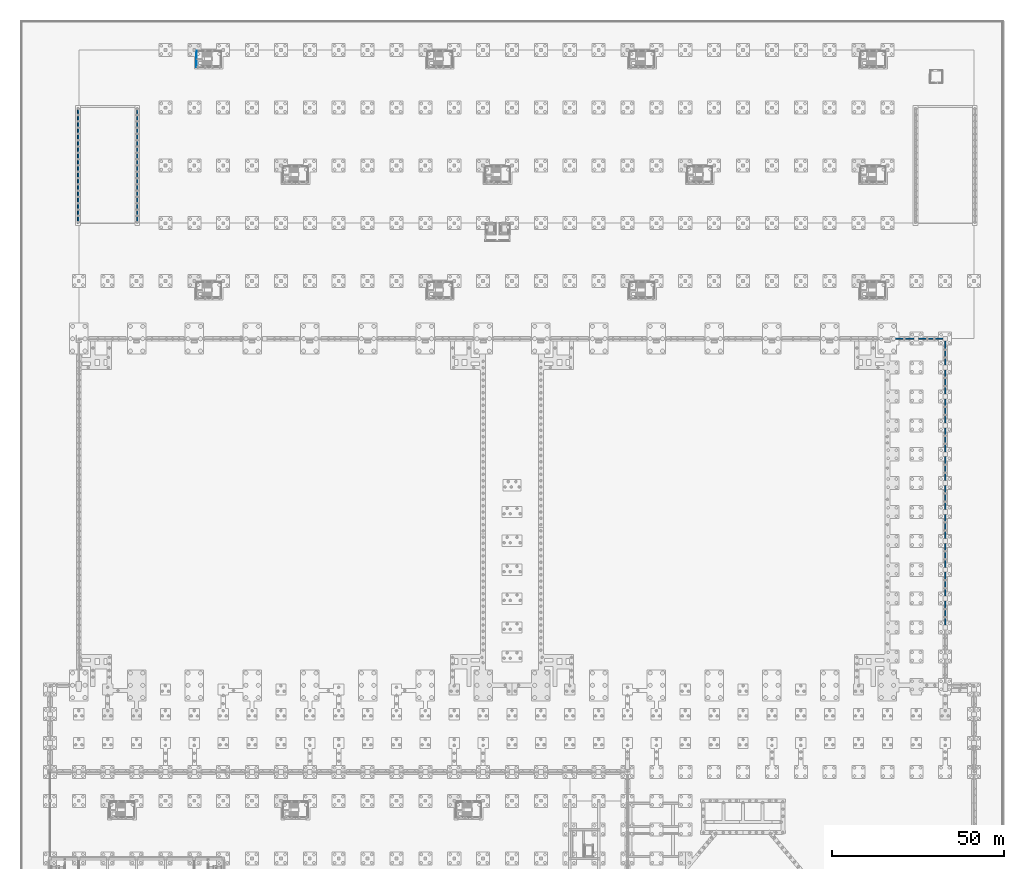
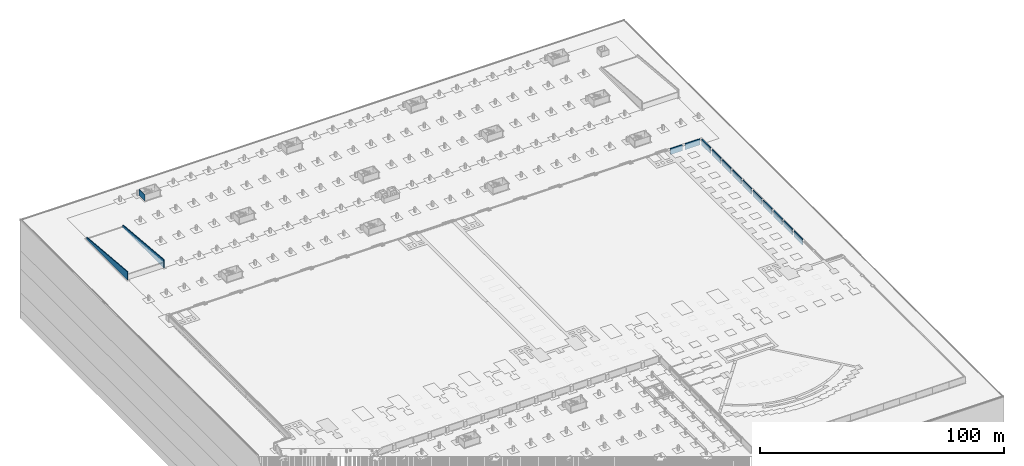
# One storey, part 45 of 67: 15 walls.
"""IFC4 building model written with IfcOpenShell, lengths in metres."""

from ifc_helpers import new_model, si_unit, direction, frame, frame_2d, origin, place, context, subcontext, project, spatial, polyline, rectangle, outline, extrude, material, layer, layer_set, type_object, element, save


model = new_model("IFC4")

# Units and contexts
model_context = context("Model", 3, precision=1e-05, world=origin(), true_north=direction((0.0, 1.0)))
body_context = subcontext(model_context, "Body", "Model", "MODEL_VIEW")
ifc_project = project(units=[si_unit("LENGTHUNIT", "METRE"), si_unit("AREAUNIT", "SQUARE_METRE"), si_unit("VOLUMEUNIT", "CUBIC_METRE"), si_unit("PLANEANGLEUNIT", "RADIAN"), si_unit("MASSUNIT", "GRAM", prefix="KILO")], contexts=[model_context])

# Site, building, storey
site_placement = place(None, origin())
site = spatial("IfcSite", under=ifc_project, at=site_placement, CompositionType="ELEMENT")
building_placement = place(site_placement, origin())
building = spatial("IfcBuilding", under=site, at=building_placement, Name="Rain Tree Exposition and Congress Centre", CompositionType="ELEMENT")
storey_placement = place(building_placement, frame((0.0, 0.0, -3.0)))
storey = spatial("IfcBuildingStorey", under=building, at=storey_placement, Name="B1", CompositionType="ELEMENT", Elevation=-3.0)

# Walls
ifc_material_1 = material(Name="Concrete C40/50", Category="concrete")
ifc_layer_1 = layer(ifc_material_1, 0.199951171875)
ifc_layer_set_1 = layer_set([ifc_layer_1], Name="Concrete C40/50")
wall_type_1 = type_object("IfcWallType", Name="Exit stair wall 200", PredefinedType="PARTITIONING", material=ifc_layer_set_1)
wall_1_placement = place(storey_placement, frame((42.60009765625, 280.60009765625, 0.0), z_axis=(0.0, 0.0, 1.0), x_axis=(0.0, 1.0, 0.0)))
element("IfcWall", 1, at=wall_1_placement, inside=storey, type_object=wall_type_1, Name="Exit stair N09 wall west", PredefinedType="SOLIDWALL", context=body_context, shape_type="SweptSolid", body=[
    extrude(rectangle(XDim=4.7998046875, YDim=0.199951171875, at=frame_2d((2.39990234375, 0.0))), origin(), (0.0, 0.0, 1.0), 3.0),
])
ifc_material_2 = material(Name="Concrete C40/50", Category="concrete")
ifc_layer_2 = layer(ifc_material_2, 0.39990234375)
ifc_layer_set_2 = layer_set([ifc_layer_2], Name="Concrete C40/50")
wall_type_2 = type_object("IfcWallType", Name="Precast retaining wall 400", PredefinedType="SOLIDWALL", material=ifc_layer_set_2)
wall_2_placement = place(storey_placement, frame((245.699951171875, 201.60009765625, 0.0), z_axis=(0.0, 0.0, 1.0), x_axis=(1.0, 0.0, 0.0)))
element("IfcWall", 2, at=wall_2_placement, inside=storey, type_object=wall_type_2, Name="Retaining wall 079", PredefinedType="SOLIDWALL", context=body_context, shape_type="SweptSolid", body=[
    extrude(rectangle(XDim=5.60009765625, YDim=0.39990234375, at=frame_2d((2.800048828125, 0.0))), origin(), (0.0, 0.0, 1.0), 3.0),
])
for number, where, z_axis, x_axis, name in (
    (3, (252.699951171875, 201.60009765625, 0.0), (0.0, 0.0, 1.0), (1.0, 0.0, 0.0), "Retaining wall 080"),
    (4, (260.39990234375, 200.89990234375, 0.0), (0.0, 0.0, 1.0), (0.0, -1.0, 0.0), "Retaining wall 081"),
    (5, (260.39990234375, 192.5, 0.0), (0.0, 0.0, 1.0), (0.0, -1.0, 0.0), "Retaining wall 082"),
    (6, (260.39990234375, 184.10009765625, 0.0), (0.0, 0.0, 1.0), (0.0, -1.0, 0.0), "Retaining wall 083"),
    (7, (260.39990234375, 175.699951171875, 0.0), (0.0, 0.0, 1.0), (0.0, -1.0, 0.0), "Retaining wall 084"),
    (8, (260.39990234375, 167.300048828125, 0.0), (0.0, 0.0, 1.0), (0.0, -1.0, 0.0), "Retaining wall 085"),
    (9, (260.39990234375, 158.89990234375, 0.0), (0.0, 0.0, 1.0), (0.0, -1.0, 0.0), "Retaining wall 086"),
    (10, (260.39990234375, 150.5, 0.0), (0.0, 0.0, 1.0), (0.0, -1.0, 0.0), "Retaining wall 087"),
    (11, (260.39990234375, 142.10009765625, 0.0), (0.0, 0.0, 1.0), (0.0, -1.0, 0.0), "Retaining wall 088"),
    (12, (260.39990234375, 133.699951171875, 0.0), (0.0, 0.0, 1.0), (0.0, -1.0, 0.0), "Retaining wall 089"),
    (13, (260.39990234375, 125.300048828125, 0.0), (0.0, 0.0, 1.0), (0.0, -1.0, 0.0), "Retaining wall 090"),
):
    element("IfcWall", number, at=place(storey_placement, frame(where, z_axis=z_axis, x_axis=x_axis)), inside=storey, type_object=wall_type_2, Name=name, PredefinedType="SOLIDWALL", context=body_context, shape_type="SweptSolid", body=[
        extrude(rectangle(XDim=7.0, YDim=0.39990234375, at=frame_2d((3.5, 0.0))), origin(), (0.0, 0.0, 1.0), 3.0),
    ])
ifc_material_3 = material(Name="Concrete C40/50", Category="concrete")
ifc_layer_3 = layer(ifc_material_3, 0.39990234375)
ifc_layer_set_3 = layer_set([ifc_layer_3], Name="Concrete C40/50")
wall_type_3 = type_object("IfcWallType", Name="Ramp side wall 400", PredefinedType="SOLIDWALL", material=ifc_layer_set_3)
for number, where, z_axis, x_axis, name in (
    (14, (8.199951171875, 268.800048828125, 0.0), (0.0, 0.0, 1.0), (0.0, -1.0, 0.0), "logistics/wall/B1/10"),
    (15, (25.39990234375, 268.800048828125, 0.0), (0.0, 0.0, 1.0), (0.0, -1.0, 0.0), "logistics/wall/B1/11"),
):
    element("IfcWall", number, at=place(storey_placement, frame(where, z_axis=z_axis, x_axis=x_axis)), inside=storey, type_object=wall_type_3, Name=name, PredefinedType="SOLIDWALL", context=body_context, shape_type="SweptSolid", body=[
        extrude(outline(polyline([(0.0, 0.0), (33.60009765625, 0.0), (33.60009765625, 4.10009765625), (0.0, 1.10009765625), (0.0, 0.0)])), frame((0.0, 0.199951171875, 0.0), z_axis=(0.0, -1.0, 0.0), x_axis=(1.0, 0.0, 0.0)), (0.0, 0.0, 1.0), 0.39990234375),
    ])

save(model, "model.ifc")
